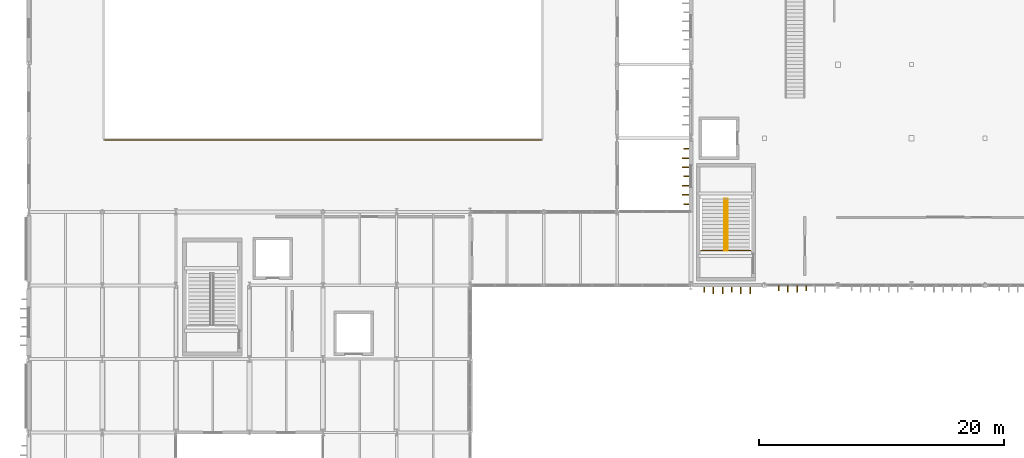
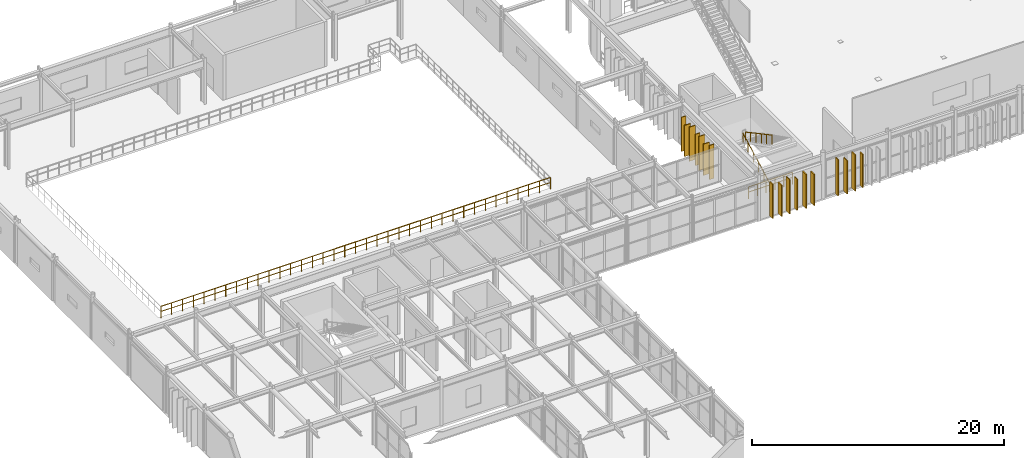
# One storey, part 76 of 84: 17 coverings, 4 railings.
"""IFC4 building model written with IfcOpenShell, lengths in metres."""

from ifc_helpers import new_model, si_unit, direction, frame, origin, origin_2d, place, context, subcontext, project, spatial, rectangle, circle, extrude, material, layer, layer_set, type_object, element, save


model = new_model("IFC4")

# Units and contexts
model_context = context("Model", 3, precision=1e-05, world=origin(), true_north=direction((0.0, 1.0)))
body_context = subcontext(model_context, "Body", "Model", "MODEL_VIEW")
ifc_project = project(units=[si_unit("LENGTHUNIT", "METRE"), si_unit("AREAUNIT", "SQUARE_METRE"), si_unit("VOLUMEUNIT", "CUBIC_METRE"), si_unit("PLANEANGLEUNIT", "RADIAN"), si_unit("MASSUNIT", "GRAM", prefix="KILO")], contexts=[model_context])

# Site, building, storey
site_placement = place(None, origin())
site = spatial("IfcSite", under=ifc_project, at=site_placement, CompositionType="ELEMENT")
building_placement = place(site_placement, origin())
building = spatial("IfcBuilding", under=site, at=building_placement, Name="Varnakota Square Police Headquarters", CompositionType="ELEMENT")
storey_placement = place(building_placement, frame((0.0, 0.0, 13.5)))
storey = spatial("IfcBuildingStorey", under=building, at=storey_placement, Name="L03", CompositionType="ELEMENT", Elevation=13.5)

# Coverings
ifc_material_1 = material(Name="White Anodised Aluminium Vertical Facade Blade 420", Category="aluminium")
ifc_layer_1 = layer(ifc_material_1, 0.0849609375, Name="White Anodised Aluminium Vertical Facade Blade 420")
ifc_layer_set_1 = layer_set([ifc_layer_1], Name="White Anodised Aluminium Vertical Facade Blade 420")
covering_type_1 = type_object("IfcCoveringType", Name="COV-FIN-420", PredefinedType="CLADDING", material=ifc_layer_set_1)
covering_1_placement = place(storey_placement, frame((61.0859375, 68.655029296875, 0.0400390625), z_axis=(0.0, 0.0, 1.0), x_axis=(1.0, 0.0, 0.0)))
element("IfcCovering", 1, at=covering_1_placement, inside=storey, type_object=covering_type_1, Name="Vertical aluminium facade fin FIN-1282", PredefinedType="CLADDING", context=body_context, shape_type="SweptSolid", body=[
    extrude(rectangle(XDim=0.0849609375, YDim=0.419921875, at=origin_2d()), origin(), (0.0, 0.0, 1.0), 3.31005859375),
])
covering_2_placement = place(storey_placement, frame((63.3359375, 68.655029296875, 0.0400390625), z_axis=(0.0, 0.0, 1.0), x_axis=(1.0, 0.0, 0.0)))
element("IfcCovering", 2, at=covering_2_placement, inside=storey, type_object=covering_type_1, Name="Vertical aluminium facade fin FIN-1285", PredefinedType="CLADDING", context=body_context, shape_type="SweptSolid", body=[
    extrude(rectangle(XDim=0.0849609375, YDim=0.419921875, at=origin_2d()), origin(), (0.0, 0.0, 1.0), 3.030029296875),
])
covering_3_placement = place(storey_placement, frame((67.1640625, 68.762451171875, 0.0400390625), z_axis=(0.0, 0.0, 1.0), x_axis=(1.0, 0.0, 0.0)))
element("IfcCovering", 3, at=covering_3_placement, inside=storey, type_object=covering_type_1, Name="Vertical aluminium facade fin FIN-1288", PredefinedType="CLADDING", context=body_context, shape_type="SweptSolid", body=[
    extrude(rectangle(XDim=0.0849609375, YDim=0.419921875, at=origin_2d()), origin(), (0.0, 0.0, 1.0), 3.510009765625),
])
covering_4_placement = place(storey_placement, frame((69.4140625, 68.762451171875, 0.0400390625), z_axis=(0.0, 0.0, 1.0), x_axis=(1.0, 0.0, 0.0)))
element("IfcCovering", 4, at=covering_4_placement, inside=storey, type_object=covering_type_1, Name="Vertical aluminium facade fin FIN-1291", PredefinedType="CLADDING", context=body_context, shape_type="SweptSolid", body=[
    extrude(rectangle(XDim=0.0849609375, YDim=0.419921875, at=origin_2d()), origin(), (0.0, 0.0, 1.0), 3.22998046875),
])
covering_5_placement = place(storey_placement, frame((59.635009765625, 75.635498046875, 0.0400390625), z_axis=(0.0, 0.0, 1.0), x_axis=(0.0, 1.0, 0.0)))
element("IfcCovering", 5, at=covering_5_placement, inside=storey, type_object=covering_type_1, Name="Vertical aluminium facade fin FIN-1342", PredefinedType="CLADDING", context=body_context, shape_type="SweptSolid", body=[
    extrude(rectangle(XDim=0.0849609375, YDim=0.419921875, at=origin_2d()), origin(), (0.0, 0.0, 1.0), 3.31005859375),
])
covering_6_placement = place(storey_placement, frame((59.635009765625, 77.885498046875, 0.0400390625), z_axis=(0.0, 0.0, 1.0), x_axis=(0.0, 1.0, 0.0)))
element("IfcCovering", 6, at=covering_6_placement, inside=storey, type_object=covering_type_1, Name="Vertical aluminium facade fin FIN-1345", PredefinedType="CLADDING", context=body_context, shape_type="SweptSolid", body=[
    extrude(rectangle(XDim=0.0849609375, YDim=0.419921875, at=origin_2d()), origin(), (0.0, 0.0, 1.0), 3.030029296875),
])
covering_7_placement = place(storey_placement, frame((59.635009765625, 80.135498046875, 0.0400390625), z_axis=(0.0, 0.0, 1.0), x_axis=(0.0, 1.0, 0.0)))
element("IfcCovering", 7, at=covering_7_placement, inside=storey, type_object=covering_type_1, Name="Vertical aluminium facade fin FIN-1348", PredefinedType="CLADDING", context=body_context, shape_type="SweptSolid", body=[
    extrude(rectangle(XDim=0.0849609375, YDim=0.419921875, at=origin_2d()), origin(), (0.0, 0.0, 1.0), 3.31005859375),
])
ifc_material_2 = material(Name="White Anodised Aluminium Vertical Facade Blade 550", Category="aluminium")
ifc_layer_2 = layer(ifc_material_2, 0.0849609375, Name="White Anodised Aluminium Vertical Facade Blade 550")
ifc_layer_set_2 = layer_set([ifc_layer_2], Name="White Anodised Aluminium Vertical Facade Blade 550")
covering_type_2 = type_object("IfcCoveringType", Name="COV-FIN-550", PredefinedType="CLADDING", material=ifc_layer_set_2)
covering_8_placement = place(storey_placement, frame((61.8359375, 68.590087890625, 0.0400390625), z_axis=(0.0, 0.0, 1.0), x_axis=(1.0, 0.0, 0.0)))
element("IfcCovering", 8, at=covering_8_placement, inside=storey, type_object=covering_type_2, Name="Vertical aluminium facade fin FIN-1283", PredefinedType="CLADDING", context=body_context, shape_type="SweptSolid", body=[
    extrude(rectangle(XDim=0.0849609375, YDim=0.550048828125, at=origin_2d()), origin(), (0.0, 0.0, 1.0), 3.030029296875),
])
for number, where, z_axis, x_axis, name in (
    (9, (62.5859375, 68.590087890625, 0.0400390625), (0.0, 0.0, 1.0), (1.0, 0.0, 0.0), "Vertical aluminium facade fin FIN-1284"),
    (10, (64.0859375, 68.590087890625, 0.0400390625), (0.0, 0.0, 1.0), (1.0, 0.0, 0.0), "Vertical aluminium facade fin FIN-1286"),
):
    element("IfcCovering", number, at=place(storey_placement, frame(where, z_axis=z_axis, x_axis=x_axis)), inside=storey, type_object=covering_type_2, Name=name, PredefinedType="CLADDING", context=body_context, shape_type="SweptSolid", body=[
        extrude(rectangle(XDim=0.0849609375, YDim=0.550048828125, at=origin_2d()), origin(), (0.0, 0.0, 1.0), 3.31005859375),
    ])
covering_9_placement = place(storey_placement, frame((64.8359375, 68.590087890625, 0.0400390625), z_axis=(0.0, 0.0, 1.0), x_axis=(1.0, 0.0, 0.0)))
element("IfcCovering", 11, at=covering_9_placement, inside=storey, type_object=covering_type_2, Name="Vertical aluminium facade fin FIN-1287", PredefinedType="CLADDING", context=body_context, shape_type="SweptSolid", body=[
    extrude(rectangle(XDim=0.0849609375, YDim=0.550048828125, at=origin_2d()), origin(), (0.0, 0.0, 1.0), 3.030029296875),
])
covering_10_placement = place(storey_placement, frame((67.9140625, 68.697509765625, 0.0400390625), z_axis=(0.0, 0.0, 1.0), x_axis=(1.0, 0.0, 0.0)))
element("IfcCovering", 12, at=covering_10_placement, inside=storey, type_object=covering_type_2, Name="Vertical aluminium facade fin FIN-1289", PredefinedType="CLADDING", context=body_context, shape_type="SweptSolid", body=[
    extrude(rectangle(XDim=0.0849609375, YDim=0.550048828125, at=origin_2d()), origin(), (0.0, 0.0, 1.0), 3.22998046875),
])
covering_11_placement = place(storey_placement, frame((68.6640625, 68.697509765625, 0.0400390625), z_axis=(0.0, 0.0, 1.0), x_axis=(1.0, 0.0, 0.0)))
element("IfcCovering", 13, at=covering_11_placement, inside=storey, type_object=covering_type_2, Name="Vertical aluminium facade fin FIN-1290", PredefinedType="CLADDING", context=body_context, shape_type="SweptSolid", body=[
    extrude(rectangle(XDim=0.0849609375, YDim=0.550048828125, at=origin_2d()), origin(), (0.0, 0.0, 1.0), 3.510009765625),
])
covering_12_placement = place(storey_placement, frame((59.570068359375, 76.385498046875, 0.0400390625), z_axis=(0.0, 0.0, 1.0), x_axis=(0.0, 1.0, 0.0)))
element("IfcCovering", 14, at=covering_12_placement, inside=storey, type_object=covering_type_2, Name="Vertical aluminium facade fin FIN-1343", PredefinedType="CLADDING", context=body_context, shape_type="SweptSolid", body=[
    extrude(rectangle(XDim=0.0849609375, YDim=0.550048828125, at=origin_2d()), origin(), (0.0, 0.0, 1.0), 3.030029296875),
])
for number, where, z_axis, x_axis, name in (
    (15, (59.570068359375, 77.135498046875, 0.0400390625), (0.0, 0.0, 1.0), (0.0, 1.0, 0.0), "Vertical aluminium facade fin FIN-1344"),
    (16, (59.570068359375, 78.635498046875, 0.0400390625), (0.0, 0.0, 1.0), (0.0, 1.0, 0.0), "Vertical aluminium facade fin FIN-1346"),
):
    element("IfcCovering", number, at=place(storey_placement, frame(where, z_axis=z_axis, x_axis=x_axis)), inside=storey, type_object=covering_type_2, Name=name, PredefinedType="CLADDING", context=body_context, shape_type="SweptSolid", body=[
        extrude(rectangle(XDim=0.0849609375, YDim=0.550048828125, at=origin_2d()), origin(), (0.0, 0.0, 1.0), 3.31005859375),
    ])
covering_13_placement = place(storey_placement, frame((59.570068359375, 79.385498046875, 0.0400390625), z_axis=(0.0, 0.0, 1.0), x_axis=(0.0, 1.0, 0.0)))
element("IfcCovering", 17, at=covering_13_placement, inside=storey, type_object=covering_type_2, Name="Vertical aluminium facade fin FIN-1347", PredefinedType="CLADDING", context=body_context, shape_type="SweptSolid", body=[
    extrude(rectangle(XDim=0.0849609375, YDim=0.550048828125, at=origin_2d()), origin(), (0.0, 0.0, 1.0), 3.030029296875),
])

# Railings
ifc_material_3 = material(Name="Brushed Stainless Steel Tubular Handrail", Category="steel")
railing_type_1 = type_object("IfcRailingType", Name="RL-HND-920", PredefinedType="HANDRAIL", material=ifc_material_3)
railing_1_placement = place(storey_placement, frame((62.72998046875, 71.85009765625, 0.0)))
element("IfcRailing", 18, at=railing_1_placement, inside=storey, type_object=railing_type_1, Name="Stair flight handrail HR-L03-073", PredefinedType="HANDRAIL", context=body_context, shape_type="SweptSolid", body=[
    extrude(circle(Radius=0.02392578125, at=origin_2d()), frame((0.0, 0.0, 0.89599609375), z_axis=(0.0, 0.881511956786, 0.472161699043), x_axis=(-1.0, 0.0, 0.0)), (0.0, 0.0, 1.0), 4.765380859375),
    extrude(circle(Radius=0.02099609375, at=origin_2d()), origin(), (0.0, 0.0, 1.0), 0.871826171875),
    extrude(circle(Radius=0.02099609375, at=origin_2d()), frame((0.0, 0.840087890625, 0.449951171875)), (0.0, 0.0, 1.0), 0.871826171875),
    extrude(circle(Radius=0.02099609375, at=origin_2d()), frame((0.0, 1.68017578125, 0.89990234375)), (0.0, 0.0, 1.0), 0.871826171875),
    extrude(circle(Radius=0.02099609375, at=origin_2d()), frame((0.0, 2.5205078125, 1.35009765625)), (0.0, 0.0, 1.0), 0.871826171875),
    extrude(circle(Radius=0.02099609375, at=origin_2d()), frame((0.0, 3.360595703125, 1.800048828125)), (0.0, 0.0, 1.0), 0.871826171875),
    extrude(circle(Radius=0.02099609375, at=origin_2d()), frame((0.0, 4.20068359375, 2.25)), (0.0, 0.0, 1.0), 0.871826171875),
])
railing_2_placement = place(storey_placement, frame((62.969970703125, 76.05078125, 2.25)))
element("IfcRailing", 19, at=railing_2_placement, inside=storey, type_object=railing_type_1, Name="Stair flight handrail HR-L03-074", PredefinedType="HANDRAIL", context=body_context, shape_type="SweptSolid", body=[
    extrude(circle(Radius=0.02392578125, at=origin_2d()), frame((0.0, 0.0, 0.89599609375), z_axis=(0.0, -0.881511956786, 0.472161699043), x_axis=(1.0, 0.0, 0.0)), (0.0, 0.0, 1.0), 4.765380859375),
    extrude(circle(Radius=0.02099609375, at=origin_2d()), origin(), (0.0, 0.0, 1.0), 0.871826171875),
    extrude(circle(Radius=0.02099609375, at=origin_2d()), frame((0.0, -0.840087890625, 0.449951171875)), (0.0, 0.0, 1.0), 0.871826171875),
    extrude(circle(Radius=0.02099609375, at=origin_2d()), frame((0.0, -1.68017578125, 0.89990234375)), (0.0, 0.0, 1.0), 0.871826171875),
    extrude(circle(Radius=0.02099609375, at=origin_2d()), frame((0.0, -2.5205078125, 1.35009765625)), (0.0, 0.0, 1.0), 0.871826171875),
    extrude(circle(Radius=0.02099609375, at=origin_2d()), frame((0.0, -3.360595703125, 1.800048828125)), (0.0, 0.0, 1.0), 0.871826171875),
    extrude(circle(Radius=0.02099609375, at=origin_2d()), frame((0.0, -4.20068359375, 2.25)), (0.0, 0.0, 1.0), 0.871826171875),
])
ifc_material_4 = material(Name="Laminated Glass and Stainless Steel Balustrade", Category="steel")
railing_type_2 = type_object("IfcRailingType", Name="RL-INT-1150", PredefinedType="BALUSTRADE", material=ifc_material_4)
railing_3_placement = place(storey_placement, frame((60.840087890625, 71.85009765625, 0.0)))
element("IfcRailing", 20, at=railing_3_placement, inside=storey, type_object=railing_type_2, Name="Stair well safety guard C6 L03", PredefinedType="BALUSTRADE", context=body_context, shape_type="SweptSolid", body=[
    extrude(circle(Radius=0.02392578125, at=origin_2d()), frame((0.0, 0.0, 1.1259765625), z_axis=(1.0, 0.0, 0.0), x_axis=(0.0, 1.0, 0.0)), (0.0, 0.0, 1.0), 4.02001953125),
    extrude(circle(Radius=0.01806640625, at=origin_2d()), frame((0.0, 0.0, 0.63232421875), z_axis=(1.0, 0.0, 0.0), x_axis=(0.0, 1.0, 0.0)), (0.0, 0.0, 1.0), 4.02001953125),
    extrude(circle(Radius=0.02099609375, at=origin_2d()), origin(), (0.0, 0.0, 1.0), 1.101806640625),
    extrude(circle(Radius=0.02099609375, at=origin_2d()), frame((0.803955078125, 0.0, 0.0)), (0.0, 0.0, 1.0), 1.101806640625),
    extrude(circle(Radius=0.02099609375, at=origin_2d()), frame((1.60791015625, 0.0, 0.0)), (0.0, 0.0, 1.0), 1.101806640625),
    extrude(circle(Radius=0.02099609375, at=origin_2d()), frame((2.412109375, 0.0, 0.0)), (0.0, 0.0, 1.0), 1.101806640625),
    extrude(circle(Radius=0.02099609375, at=origin_2d()), frame((3.216064453125, 0.0, 0.0)), (0.0, 0.0, 1.0), 1.101806640625),
    extrude(circle(Radius=0.02099609375, at=origin_2d()), frame((4.02001953125, 0.0, 0.0)), (0.0, 0.0, 1.0), 1.101806640625),
])
railing_4_placement = place(storey_placement, frame((12.14990234375, 80.85009765625, 0.0)))
element("IfcRailing", 21, at=railing_4_placement, inside=storey, type_object=railing_type_2, Name="Gymnasium upper gallery balustrade", PredefinedType="BALUSTRADE", context=body_context, shape_type="SweptSolid", body=[
    extrude(circle(Radius=0.02392578125, at=origin_2d()), frame((0.0, 0.0, 1.1259765625), z_axis=(1.0, 0.0, 0.0), x_axis=(0.0, 1.0, 0.0)), (0.0, 0.0, 1.0), 35.7001953125),
    extrude(circle(Radius=0.01806640625, at=origin_2d()), frame((0.0, 0.0, 0.63232421875), z_axis=(1.0, 0.0, 0.0), x_axis=(0.0, 1.0, 0.0)), (0.0, 0.0, 1.0), 35.7001953125),
    extrude(circle(Radius=0.02099609375, at=origin_2d()), origin(), (0.0, 0.0, 1.0), 1.101806640625),
    extrude(circle(Radius=0.02099609375, at=origin_2d()), frame((0.99169921875, 0.0, 0.0)), (0.0, 0.0, 1.0), 1.101806640625),
    extrude(circle(Radius=0.02099609375, at=origin_2d()), frame((1.9833984375, 0.0, 0.0)), (0.0, 0.0, 1.0), 1.101806640625),
    extrude(circle(Radius=0.02099609375, at=origin_2d()), frame((2.97509765625, 0.0, 0.0)), (0.0, 0.0, 1.0), 1.101806640625),
    extrude(circle(Radius=0.02099609375, at=origin_2d()), frame((3.966796875, 0.0, 0.0)), (0.0, 0.0, 1.0), 1.101806640625),
    extrude(circle(Radius=0.02099609375, at=origin_2d()), frame((4.958251953125, 0.0, 0.0)), (0.0, 0.0, 1.0), 1.101806640625),
    extrude(circle(Radius=0.02099609375, at=origin_2d()), frame((5.949951171875, 0.0, 0.0)), (0.0, 0.0, 1.0), 1.101806640625),
    extrude(circle(Radius=0.02099609375, at=origin_2d()), frame((6.941650390625, 0.0, 0.0)), (0.0, 0.0, 1.0), 1.101806640625),
    extrude(circle(Radius=0.02099609375, at=origin_2d()), frame((7.933349609375, 0.0, 0.0)), (0.0, 0.0, 1.0), 1.101806640625),
    extrude(circle(Radius=0.02099609375, at=origin_2d()), frame((8.925048828125, 0.0, 0.0)), (0.0, 0.0, 1.0), 1.101806640625),
    extrude(circle(Radius=0.02099609375, at=origin_2d()), frame((9.916748046875, 0.0, 0.0)), (0.0, 0.0, 1.0), 1.101806640625),
    extrude(circle(Radius=0.02099609375, at=origin_2d()), frame((10.908447265625, 0.0, 0.0)), (0.0, 0.0, 1.0), 1.101806640625),
    extrude(circle(Radius=0.02099609375, at=origin_2d()), frame((11.900146484375, 0.0, 0.0)), (0.0, 0.0, 1.0), 1.101806640625),
    extrude(circle(Radius=0.02099609375, at=origin_2d()), frame((12.891845703125, 0.0, 0.0)), (0.0, 0.0, 1.0), 1.101806640625),
    extrude(circle(Radius=0.02099609375, at=origin_2d()), frame((13.88330078125, 0.0, 0.0)), (0.0, 0.0, 1.0), 1.101806640625),
    extrude(circle(Radius=0.02099609375, at=origin_2d()), frame((14.875, 0.0, 0.0)), (0.0, 0.0, 1.0), 1.101806640625),
    extrude(circle(Radius=0.02099609375, at=origin_2d()), frame((15.86669921875, 0.0, 0.0)), (0.0, 0.0, 1.0), 1.101806640625),
    extrude(circle(Radius=0.02099609375, at=origin_2d()), frame((16.8583984375, 0.0, 0.0)), (0.0, 0.0, 1.0), 1.101806640625),
    extrude(circle(Radius=0.02099609375, at=origin_2d()), frame((17.85009765625, 0.0, 0.0)), (0.0, 0.0, 1.0), 1.101806640625),
    extrude(circle(Radius=0.02099609375, at=origin_2d()), frame((18.841796875, 0.0, 0.0)), (0.0, 0.0, 1.0), 1.101806640625),
    extrude(circle(Radius=0.02099609375, at=origin_2d()), frame((19.83349609375, 0.0, 0.0)), (0.0, 0.0, 1.0), 1.101806640625),
    extrude(circle(Radius=0.02099609375, at=origin_2d()), frame((20.8251953125, 0.0, 0.0)), (0.0, 0.0, 1.0), 1.101806640625),
    extrude(circle(Radius=0.02099609375, at=origin_2d()), frame((21.81689453125, 0.0, 0.0)), (0.0, 0.0, 1.0), 1.101806640625),
    extrude(circle(Radius=0.02099609375, at=origin_2d()), frame((22.808349609375, 0.0, 0.0)), (0.0, 0.0, 1.0), 1.101806640625),
    extrude(circle(Radius=0.02099609375, at=origin_2d()), frame((23.800048828125, 0.0, 0.0)), (0.0, 0.0, 1.0), 1.101806640625),
    extrude(circle(Radius=0.02099609375, at=origin_2d()), frame((24.791748046875, 0.0, 0.0)), (0.0, 0.0, 1.0), 1.101806640625),
    extrude(circle(Radius=0.02099609375, at=origin_2d()), frame((25.783447265625, 0.0, 0.0)), (0.0, 0.0, 1.0), 1.101806640625),
    extrude(circle(Radius=0.02099609375, at=origin_2d()), frame((26.775146484375, 0.0, 0.0)), (0.0, 0.0, 1.0), 1.101806640625),
    extrude(circle(Radius=0.02099609375, at=origin_2d()), frame((27.766845703125, 0.0, 0.0)), (0.0, 0.0, 1.0), 1.101806640625),
    extrude(circle(Radius=0.02099609375, at=origin_2d()), frame((28.758544921875, 0.0, 0.0)), (0.0, 0.0, 1.0), 1.101806640625),
    extrude(circle(Radius=0.02099609375, at=origin_2d()), frame((29.750244140625, 0.0, 0.0)), (0.0, 0.0, 1.0), 1.101806640625),
    extrude(circle(Radius=0.02099609375, at=origin_2d()), frame((30.741943359375, 0.0, 0.0)), (0.0, 0.0, 1.0), 1.101806640625),
    extrude(circle(Radius=0.02099609375, at=origin_2d()), frame((31.7333984375, 0.0, 0.0)), (0.0, 0.0, 1.0), 1.101806640625),
    extrude(circle(Radius=0.02099609375, at=origin_2d()), frame((32.72509765625, 0.0, 0.0)), (0.0, 0.0, 1.0), 1.101806640625),
    extrude(circle(Radius=0.02099609375, at=origin_2d()), frame((33.716796875, 0.0, 0.0)), (0.0, 0.0, 1.0), 1.101806640625),
    extrude(circle(Radius=0.02099609375, at=origin_2d()), frame((34.70849609375, 0.0, 0.0)), (0.0, 0.0, 1.0), 1.101806640625),
    extrude(circle(Radius=0.02099609375, at=origin_2d()), frame((35.7001953125, 0.0, 0.0)), (0.0, 0.0, 1.0), 1.101806640625),
])

save(model, "model.ifc")
